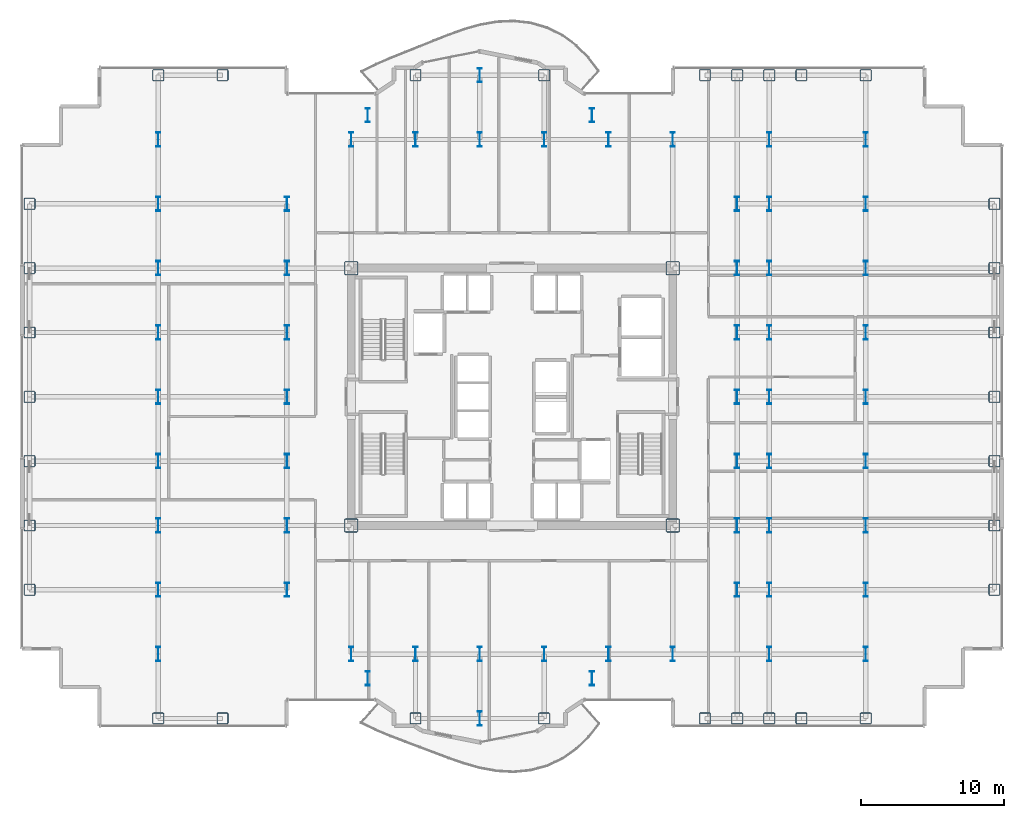
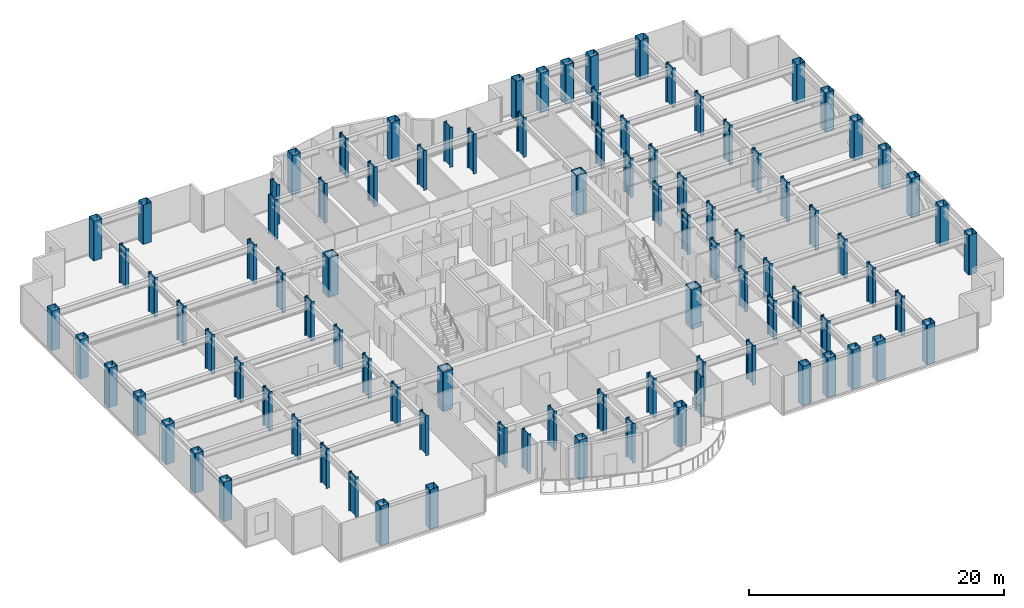
# One storey, part 1 of 29: 95 columns.
"""IFC4 building model written with IfcOpenShell, lengths in metres."""

from ifc_helpers import new_model, si_unit, direction, frame, origin, origin_2d, place, context, subcontext, project, spatial, hollow_rectangle, i_section, extrude, source, transform, mapped, material, material_profile, profile_set, type_object, element, save


model = new_model("IFC4")

# Units and contexts
model_context = context("Model", 3, precision=1e-05, world=origin(), true_north=direction((0.0, 1.0)))
body_context = subcontext(model_context, "Body", "Model", "MODEL_VIEW")
ifc_project = project(units=[si_unit("LENGTHUNIT", "METRE"), si_unit("AREAUNIT", "SQUARE_METRE"), si_unit("VOLUMEUNIT", "CUBIC_METRE"), si_unit("PLANEANGLEUNIT", "RADIAN"), si_unit("MASSUNIT", "GRAM", prefix="KILO")], contexts=[model_context])

# Site, building, storey
site_placement = place(None, origin())
site = spatial("IfcSite", under=ifc_project, at=site_placement, CompositionType="ELEMENT")
building_placement = place(site_placement, origin())
building = spatial("IfcBuilding", under=site, at=building_placement, Name="Nefas-Gora Pilgrimage Tower", CompositionType="ELEMENT")
storey_placement = place(building_placement, frame((0.0, 0.0, 136.39990234375)))
storey = spatial("IfcBuildingStorey", under=building, at=storey_placement, Name="L33", CompositionType="ELEMENT", Elevation=136.39990234375)

# Columns
ifc_material = material(Name="Steel S460", Category="steel")
ifc_material_profile_1 = material_profile(ifc_material, i_section(OverallWidth=0.302001953125, OverallDepth=1.008056640625, WebThickness=0.02099609375, FlangeThickness=0.0400390625, FilletRadius=0.030029296875, at=origin_2d()), Name="HEM 1000")
ifc_profile_set_1 = profile_set([ifc_material_profile_1], Name="Steel S460")
column_type_1 = type_object("IfcColumnType", Name="COL-WEB-HEM1000", PredefinedType="COLUMN", material=ifc_profile_set_1)
shared_shape_1 = source(origin(), body_context, "Body", "SweptSolid", [
    extrude(i_section(OverallWidth=0.302001953125, OverallDepth=1.008056640625, WebThickness=0.02099609375, FlangeThickness=0.0400390625, FilletRadius=0.030029296875, at=origin_2d()), origin(), (0.0, 0.0, 1.0), 3.800048828125),
])
for number, where, z_axis, x_axis, name in (
    (1, (-24.75, -18.0, 0.0), (0.0, 0.0, 1.0), (1.0, 0.0, 0.0), "L33 Tower Column CW-01.9"),
    (2, (-24.75, -13.5, 0.0), (0.0, 0.0, 1.0), (1.0, 0.0, 0.0), "L33 Tower Column CW-01.10"),
    (3, (-24.75, -9.0, 0.0), (0.0, 0.0, 1.0), (1.0, 0.0, 0.0), "L33 Tower Column CW-01.11"),
    (4, (-24.75, -4.5, 0.0), (0.0, 0.0, 1.0), (1.0, 0.0, 0.0), "L33 Tower Column CW-01.12"),
    (5, (-24.75, 0.0, 0.0), (0.0, 0.0, 1.0), (1.0, 0.0, 0.0), "L33 Tower Column CW-01.13"),
    (6, (-24.75, 4.5, 0.0), (0.0, 0.0, 1.0), (1.0, 0.0, 0.0), "L33 Tower Column CW-01.14"),
    (7, (-24.75, 9.0, 0.0), (0.0, 0.0, 1.0), (1.0, 0.0, 0.0), "L33 Tower Column CW-01.15"),
    (8, (-24.75, 13.5, 0.0), (0.0, 0.0, 1.0), (1.0, 0.0, 0.0), "L33 Tower Column CW-01.16"),
    (9, (-24.75, 18.0, 0.0), (0.0, 0.0, 1.0), (1.0, 0.0, 0.0), "L33 Tower Column CW-01.17"),
    (10, (-15.75, -13.5, 0.0), (0.0, 0.0, 1.0), (1.0, 0.0, 0.0), "L33 Tower Column CW-01.21"),
    (11, (-15.75, -9.0, 0.0), (0.0, 0.0, 1.0), (1.0, 0.0, 0.0), "L33 Tower Column CW-01.22"),
    (12, (-15.75, -4.5, 0.0), (0.0, 0.0, 1.0), (1.0, 0.0, 0.0), "L33 Tower Column CW-01.23"),
    (13, (-15.75, 0.0, 0.0), (0.0, 0.0, 1.0), (1.0, 0.0, 0.0), "L33 Tower Column CW-01.24"),
    (14, (-15.75, 4.5, 0.0), (0.0, 0.0, 1.0), (1.0, 0.0, 0.0), "L33 Tower Column CW-01.25"),
    (15, (-15.75, 9.0, 0.0), (0.0, 0.0, 1.0), (1.0, 0.0, 0.0), "L33 Tower Column CW-01.26"),
    (16, (-15.75, 13.5, 0.0), (0.0, 0.0, 1.0), (1.0, 0.0, 0.0), "L33 Tower Column CW-01.27"),
    (17, (-11.25, -18.0, 0.0), (0.0, 0.0, 1.0), (1.0, 0.0, 0.0), "L33 Tower Column CW-01.28"),
    (18, (-11.25, 18.0, 0.0), (0.0, 0.0, 1.0), (1.0, 0.0, 0.0), "L33 Tower Column CW-01.31"),
    (19, (-10.091064453125, -19.696044921875, 0.0), (0.0, 0.0, 1.0), (1.0, 0.0, 0.0), "L33 Tower Column CW-01.32"),
    (20, (-10.091064453125, 19.696044921875, 0.0), (0.0, 0.0, 1.0), (1.0, 0.0, 0.0), "L33 Tower Column CW-01.33"),
    (21, (-6.75, -18.0, 0.0), (0.0, 0.0, 1.0), (1.0, 0.0, 0.0), "L33 Tower Column CW-01.35"),
    (22, (-6.75, 18.0, 0.0), (0.0, 0.0, 1.0), (1.0, 0.0, 0.0), "L33 Tower Column CW-01.36"),
    (23, (-2.25, -22.5, 0.0), (0.0, 0.0, 1.0), (1.0, 0.0, 0.0), "L33 Tower Column CW-01.38"),
    (24, (-2.25, -18.0, 0.0), (0.0, 0.0, 1.0), (1.0, 0.0, 0.0), "L33 Tower Column CW-01.39"),
    (25, (-2.25, 18.0, 0.0), (0.0, 0.0, 1.0), (1.0, 0.0, 0.0), "L33 Tower Column CW-01.40"),
    (26, (-2.25, 22.5, 0.0), (0.0, 0.0, 1.0), (1.0, 0.0, 0.0), "L33 Tower Column CW-01.41"),
    (27, (2.25, -18.0, 0.0), (0.0, 0.0, 1.0), (1.0, 0.0, 0.0), "L33 Tower Column CW-01.43"),
    (28, (2.25, 18.0, 0.0), (0.0, 0.0, 1.0), (1.0, 0.0, 0.0), "L33 Tower Column CW-01.44"),
    (29, (5.591064453125, -19.696044921875, 0.0), (0.0, 0.0, 1.0), (1.0, 0.0, 0.0), "L33 Tower Column CW-01.46"),
    (30, (5.591064453125, 19.696044921875, 0.0), (0.0, 0.0, 1.0), (1.0, 0.0, 0.0), "L33 Tower Column CW-01.47"),
    (31, (6.75, -18.0, 0.0), (0.0, 0.0, 1.0), (1.0, 0.0, 0.0), "L33 Tower Column CW-01.48"),
    (32, (6.75, 18.0, 0.0), (0.0, 0.0, 1.0), (1.0, 0.0, 0.0), "L33 Tower Column CW-01.49"),
    (33, (11.25, -18.0, 0.0), (0.0, 0.0, 1.0), (1.0, 0.0, 0.0), "L33 Tower Column CW-01.50"),
    (34, (11.25, 18.0, 0.0), (0.0, 0.0, 1.0), (1.0, 0.0, 0.0), "L33 Tower Column CW-01.53"),
    (35, (15.75, -13.5, 0.0), (0.0, 0.0, 1.0), (1.0, 0.0, 0.0), "L33 Tower Column CW-01.57"),
    (36, (15.75, -9.0, 0.0), (0.0, 0.0, 1.0), (1.0, 0.0, 0.0), "L33 Tower Column CW-01.58"),
    (37, (15.75, -4.5, 0.0), (0.0, 0.0, 1.0), (1.0, 0.0, 0.0), "L33 Tower Column CW-01.59"),
    (38, (15.75, 0.0, 0.0), (0.0, 0.0, 1.0), (1.0, 0.0, 0.0), "L33 Tower Column CW-01.60"),
    (39, (15.75, 4.5, 0.0), (0.0, 0.0, 1.0), (1.0, 0.0, 0.0), "L33 Tower Column CW-01.61"),
    (40, (15.75, 9.0, 0.0), (0.0, 0.0, 1.0), (1.0, 0.0, 0.0), "L33 Tower Column CW-01.62"),
    (41, (15.75, 13.5, 0.0), (0.0, 0.0, 1.0), (1.0, 0.0, 0.0), "L33 Tower Column CW-01.63"),
    (42, (18.0, -18.0, 0.0), (0.0, 0.0, 1.0), (1.0, 0.0, 0.0), "L33 Tower Column CW-01.66"),
    (43, (18.0, -13.5, 0.0), (0.0, 0.0, 1.0), (1.0, 0.0, 0.0), "L33 Tower Column CW-01.67"),
    (44, (18.0, -9.0, 0.0), (0.0, 0.0, 1.0), (1.0, 0.0, 0.0), "L33 Tower Column CW-01.68"),
    (45, (18.0, -4.5, 0.0), (0.0, 0.0, 1.0), (1.0, 0.0, 0.0), "L33 Tower Column CW-01.69"),
    (46, (18.0, 0.0, 0.0), (0.0, 0.0, 1.0), (1.0, 0.0, 0.0), "L33 Tower Column CW-01.70"),
    (47, (18.0, 4.5, 0.0), (0.0, 0.0, 1.0), (1.0, 0.0, 0.0), "L33 Tower Column CW-01.71"),
    (48, (18.0, 9.0, 0.0), (0.0, 0.0, 1.0), (1.0, 0.0, 0.0), "L33 Tower Column CW-01.72"),
    (49, (18.0, 13.5, 0.0), (0.0, 0.0, 1.0), (1.0, 0.0, 0.0), "L33 Tower Column CW-01.73"),
    (50, (18.0, 18.0, 0.0), (0.0, 0.0, 1.0), (1.0, 0.0, 0.0), "L33 Tower Column CW-01.74"),
    (51, (24.75, -18.0, 0.0), (0.0, 0.0, 1.0), (1.0, 0.0, 0.0), "L33 Tower Column CW-01.79"),
    (52, (24.75, -13.5, 0.0), (0.0, 0.0, 1.0), (1.0, 0.0, 0.0), "L33 Tower Column CW-01.80"),
    (53, (24.75, -9.0, 0.0), (0.0, 0.0, 1.0), (1.0, 0.0, 0.0), "L33 Tower Column CW-01.81"),
    (54, (24.75, -4.5, 0.0), (0.0, 0.0, 1.0), (1.0, 0.0, 0.0), "L33 Tower Column CW-01.82"),
    (55, (24.75, 0.0, 0.0), (0.0, 0.0, 1.0), (1.0, 0.0, 0.0), "L33 Tower Column CW-01.83"),
    (56, (24.75, 4.5, 0.0), (0.0, 0.0, 1.0), (1.0, 0.0, 0.0), "L33 Tower Column CW-01.84"),
    (57, (24.75, 9.0, 0.0), (0.0, 0.0, 1.0), (1.0, 0.0, 0.0), "L33 Tower Column CW-01.85"),
    (58, (24.75, 13.5, 0.0), (0.0, 0.0, 1.0), (1.0, 0.0, 0.0), "L33 Tower Column CW-01.86"),
    (59, (24.75, 18.0, 0.0), (0.0, 0.0, 1.0), (1.0, 0.0, 0.0), "L33 Tower Column CW-01.87"),
):
    element("IfcColumn", number, at=place(storey_placement, frame(where, z_axis=z_axis, x_axis=x_axis)), inside=storey, type_object=column_type_1, Name=name, PredefinedType="COLUMN", context=body_context, shape_type="MappedRepresentation", body=[
        mapped(shared_shape_1, transform((0.0, 0.0, 0.0), x_axis=(1.0, 0.0, 0.0), y_axis=(0.0, 1.0, 0.0), z_axis=(0.0, 0.0, 1.0), scale=1.0)),
    ])
ifc_material_profile_2 = material_profile(ifc_material, hollow_rectangle(XDim=0.949951171875, YDim=0.949951171875, WallThickness=0.044921875, InnerFilletRadius=0.044921875, OuterFilletRadius=0.090087890625, at=origin_2d()), Name="BOX 950x950x45")
ifc_profile_set_2 = profile_set([ifc_material_profile_2], Name="Steel S460")
column_type_2 = type_object("IfcColumnType", Name="COL-CORE-950", PredefinedType="COLUMN", material=ifc_profile_set_2)
shared_shape_2 = source(origin(), body_context, "Body", "SweptSolid", [
    extrude(hollow_rectangle(XDim=0.949951171875, YDim=0.949951171875, WallThickness=0.044921875, InnerFilletRadius=0.044921875, OuterFilletRadius=0.090087890625, at=origin_2d()), origin(), (0.0, 0.0, 1.0), 3.800048828125),
])
for number, where, z_axis, x_axis, name in (
    (60, (-11.25, -9.0, 0.0), (0.0, 0.0, 1.0), (1.0, 0.0, 0.0), "L33 Tower Column CC-Z1.29"),
    (61, (-11.25, 9.0, 0.0), (0.0, 0.0, 1.0), (1.0, 0.0, 0.0), "L33 Tower Column CC-Z1.30"),
    (62, (11.25, -9.0, 0.0), (0.0, 0.0, 1.0), (1.0, 0.0, 0.0), "L33 Tower Column CC-Z1.51"),
    (63, (11.25, 9.0, 0.0), (0.0, 0.0, 1.0), (1.0, 0.0, 0.0), "L33 Tower Column CC-Z1.52"),
):
    element("IfcColumn", number, at=place(storey_placement, frame(where, z_axis=z_axis, x_axis=x_axis)), inside=storey, type_object=column_type_2, Name=name, PredefinedType="COLUMN", context=body_context, shape_type="MappedRepresentation", body=[
        mapped(shared_shape_2, transform((0.0, 0.0, 0.0), x_axis=(1.0, 0.0, 0.0), y_axis=(0.0, 1.0, 0.0), z_axis=(0.0, 0.0, 1.0), scale=1.0)),
    ])
ifc_material_profile_3 = material_profile(ifc_material, hollow_rectangle(XDim=0.800048828125, YDim=0.800048828125, WallThickness=0.0400390625, InnerFilletRadius=0.0400390625, OuterFilletRadius=0.080078125, at=origin_2d()), Name="BOX 800x800x40")
ifc_profile_set_3 = profile_set([ifc_material_profile_3], Name="Steel S460")
column_type_3 = type_object("IfcColumnType", Name="COL-TUBE-800", PredefinedType="COLUMN", material=ifc_profile_set_3)
shared_shape_3 = source(origin(), body_context, "Body", "SweptSolid", [
    extrude(hollow_rectangle(XDim=0.800048828125, YDim=0.800048828125, WallThickness=0.0400390625, InnerFilletRadius=0.0400390625, OuterFilletRadius=0.080078125, at=origin_2d()), origin(), (0.0, 0.0, 1.0), 3.800048828125),
])
for number, where, z_axis, x_axis, name in (
    (64, (-33.75, -13.5, 0.0), (0.0, 0.0, 1.0), (1.0, 0.0, 0.0), "L33 Tower Column C-Z2.1"),
    (65, (-33.75, -9.0, 0.0), (0.0, 0.0, 1.0), (1.0, 0.0, 0.0), "L33 Tower Column C-Z2.2"),
    (66, (-33.75, -4.5, 0.0), (0.0, 0.0, 1.0), (1.0, 0.0, 0.0), "L33 Tower Column C-Z2.3"),
    (67, (-33.75, 0.0, 0.0), (0.0, 0.0, 1.0), (1.0, 0.0, 0.0), "L33 Tower Column C-Z2.4"),
    (68, (-33.75, 4.5, 0.0), (0.0, 0.0, 1.0), (1.0, 0.0, 0.0), "L33 Tower Column C-Z2.5"),
    (69, (-33.75, 9.0, 0.0), (0.0, 0.0, 1.0), (1.0, 0.0, 0.0), "L33 Tower Column C-Z2.6"),
    (70, (-33.75, 13.5, 0.0), (0.0, 0.0, 1.0), (1.0, 0.0, 0.0), "L33 Tower Column C-Z2.7"),
    (71, (-24.75, -22.5, 0.0), (0.0, 0.0, 1.0), (1.0, 0.0, 0.0), "L33 Tower Column C-Z2.8"),
    (72, (-24.75, 22.5, 0.0), (0.0, 0.0, 1.0), (1.0, 0.0, 0.0), "L33 Tower Column C-Z2.18"),
    (73, (-20.25, -22.5, 0.0), (0.0, 0.0, 1.0), (1.0, 0.0, 0.0), "L33 Tower Column C-Z2.19"),
    (74, (-20.25, 22.5, 0.0), (0.0, 0.0, 1.0), (1.0, 0.0, 0.0), "L33 Tower Column C-Z2.20"),
    (75, (-6.75, -22.5, 0.0), (0.0, 0.0, 1.0), (1.0, 0.0, 0.0), "L33 Tower Column C-Z2.34"),
    (76, (-6.75, 22.5, 0.0), (0.0, 0.0, 1.0), (1.0, 0.0, 0.0), "L33 Tower Column C-Z2.37"),
    (77, (2.25, -22.5, 0.0), (0.0, 0.0, 1.0), (1.0, 0.0, 0.0), "L33 Tower Column C-Z2.42"),
    (78, (2.25, 22.5, 0.0), (0.0, 0.0, 1.0), (1.0, 0.0, 0.0), "L33 Tower Column C-Z2.45"),
    (79, (13.5, -22.5, 0.0), (0.0, 0.0, 1.0), (1.0, 0.0, 0.0), "L33 Tower Column C-Z2.54"),
    (80, (13.5, 22.5, 0.0), (0.0, 0.0, 1.0), (1.0, 0.0, 0.0), "L33 Tower Column C-Z2.55"),
    (81, (15.75, -22.5, 0.0), (0.0, 0.0, 1.0), (1.0, 0.0, 0.0), "L33 Tower Column C-Z2.56"),
    (82, (15.75, 22.5, 0.0), (0.0, 0.0, 1.0), (1.0, 0.0, 0.0), "L33 Tower Column C-Z2.64"),
    (83, (18.0, -22.5, 0.0), (0.0, 0.0, 1.0), (1.0, 0.0, 0.0), "L33 Tower Column C-Z2.65"),
    (84, (18.0, 22.5, 0.0), (0.0, 0.0, 1.0), (1.0, 0.0, 0.0), "L33 Tower Column C-Z2.75"),
    (85, (20.25, -22.5, 0.0), (0.0, 0.0, 1.0), (1.0, 0.0, 0.0), "L33 Tower Column C-Z2.76"),
    (86, (20.25, 22.5, 0.0), (0.0, 0.0, 1.0), (1.0, 0.0, 0.0), "L33 Tower Column C-Z2.77"),
    (87, (24.75, -22.5, 0.0), (0.0, 0.0, 1.0), (1.0, 0.0, 0.0), "L33 Tower Column C-Z2.78"),
    (88, (24.75, 22.5, 0.0), (0.0, 0.0, 1.0), (1.0, 0.0, 0.0), "L33 Tower Column C-Z2.88"),
    (89, (33.75, -13.5, 0.0), (0.0, 0.0, 1.0), (1.0, 0.0, 0.0), "L33 Tower Column C-Z2.89"),
    (90, (33.75, -9.0, 0.0), (0.0, 0.0, 1.0), (1.0, 0.0, 0.0), "L33 Tower Column C-Z2.90"),
    (91, (33.75, -4.5, 0.0), (0.0, 0.0, 1.0), (1.0, 0.0, 0.0), "L33 Tower Column C-Z2.91"),
    (92, (33.75, 0.0, 0.0), (0.0, 0.0, 1.0), (1.0, 0.0, 0.0), "L33 Tower Column C-Z2.92"),
    (93, (33.75, 4.5, 0.0), (0.0, 0.0, 1.0), (1.0, 0.0, 0.0), "L33 Tower Column C-Z2.93"),
    (94, (33.75, 9.0, 0.0), (0.0, 0.0, 1.0), (1.0, 0.0, 0.0), "L33 Tower Column C-Z2.94"),
    (95, (33.75, 13.5, 0.0), (0.0, 0.0, 1.0), (1.0, 0.0, 0.0), "L33 Tower Column C-Z2.95"),
):
    element("IfcColumn", number, at=place(storey_placement, frame(where, z_axis=z_axis, x_axis=x_axis)), inside=storey, type_object=column_type_3, Name=name, PredefinedType="COLUMN", context=body_context, shape_type="MappedRepresentation", body=[
        mapped(shared_shape_3, transform((0.0, 0.0, 0.0), x_axis=(1.0, 0.0, 0.0), y_axis=(0.0, 1.0, 0.0), z_axis=(0.0, 0.0, 1.0), scale=1.0)),
    ])

save(model, "model.ifc")
